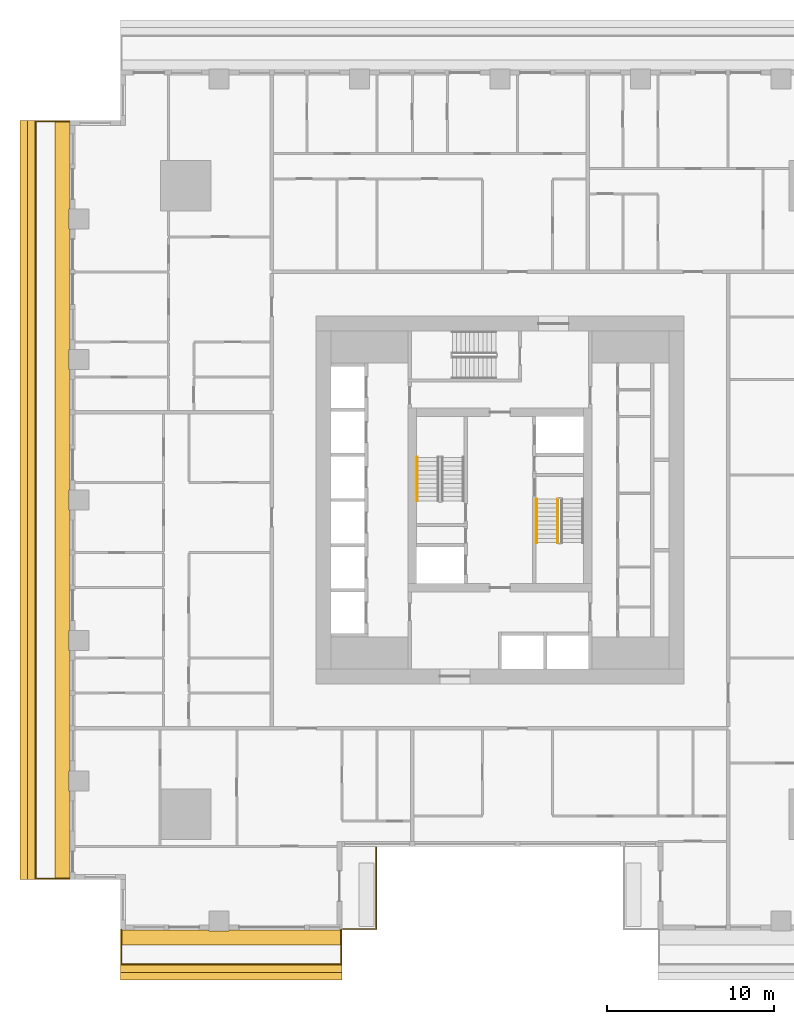
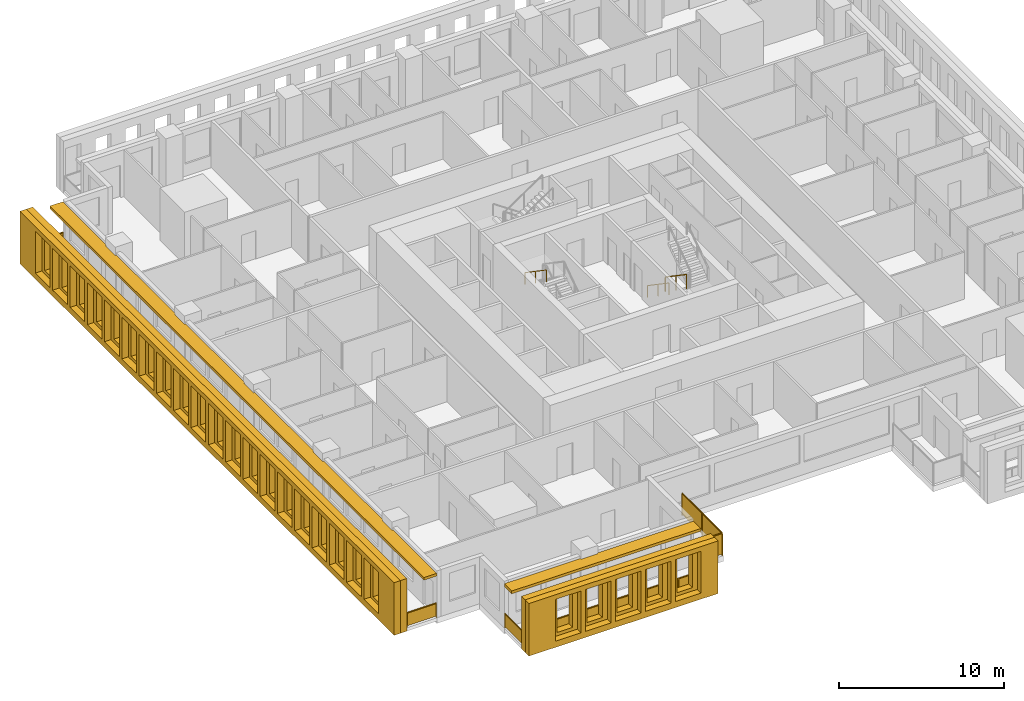
# One storey, part 11 of 15: 6 railings, 6 shading devices.
"""IFC4 building model written with IfcOpenShell, lengths in metres."""

from ifc_helpers import new_model, si_unit, direction, frame, origin, origin_2d, place, context, subcontext, project, spatial, polyline, rectangle, outline, extrude, material, layer, layer_set, type_object, element, save


model = new_model("IFC4")

# Units and contexts
model_context = context("Model", 3, precision=1e-05, world=origin(), true_north=direction((0.0, 1.0)))
body_context = subcontext(model_context, "Body", "Model", "MODEL_VIEW")
ifc_project = project(units=[si_unit("LENGTHUNIT", "METRE"), si_unit("AREAUNIT", "SQUARE_METRE"), si_unit("VOLUMEUNIT", "CUBIC_METRE"), si_unit("PLANEANGLEUNIT", "RADIAN"), si_unit("MASSUNIT", "GRAM", prefix="KILO")], contexts=[model_context])

# Site, building, storey
site_placement = place(None, origin())
site = spatial("IfcSite", under=ifc_project, at=site_placement, CompositionType="ELEMENT")
building_placement = place(site_placement, origin())
building = spatial("IfcBuilding", under=site, at=building_placement, Name="Khepri Terraces", CompositionType="ELEMENT")
storey_placement = place(building_placement, frame((0.0, 0.0, 50.39990234375)))
storey = spatial("IfcBuildingStorey", under=building, at=storey_placement, Name="L11", CompositionType="ELEMENT", Elevation=50.39990234375)

# Railings
ifc_material_1 = material(Name="Stainless steel grade 316", Category="steel")
railing_type_1 = type_object("IfcRailingType", Name="GRD-BAL-1100", PredefinedType="GUARDRAIL", material=ifc_material_1)
railing_1_placement = place(storey_placement, frame((-22.669921875, -25.719970703125, 0.0)))
element("IfcRailing", 1, at=railing_1_placement, inside=storey, type_object=railing_type_1, Name="Balcony guard L11 S", PredefinedType="GUARDRAIL", context=body_context, shape_type="SweptSolid", body=[
    extrude(rectangle(XDim=0.050048828125, YDim=0.06005859375, at=origin_2d()), frame((0.0, 0.0, 1.070068359375), z_axis=(0.0, -1.0, 0.0), x_axis=(1.0, 0.0, 0.0)), (0.0, 0.0, 1.0), 2.050048828125),
    extrude(rectangle(XDim=2.0, YDim=0.011962890625, at=origin_2d()), frame((0.0, -1.02490234375, 0.10009765625), z_axis=(0.0, 0.0, 1.0), x_axis=(0.0, -1.0, 0.0)), (0.0, 0.0, 1.0), 0.93994140625),
    extrude(rectangle(XDim=0.050048828125, YDim=0.06005859375, at=origin_2d()), frame((0.0, -2.050048828125, 1.070068359375), z_axis=(1.0, 0.0, 0.0), x_axis=(0.0, 1.0, 0.0)), (0.0, 0.0, 1.0), 13.169921875),
    extrude(rectangle(XDim=2.14501953125, YDim=0.011962890625, at=origin_2d()), frame((1.097412109375, -2.050048828125, 0.10009765625), z_axis=(0.0, 0.0, 1.0), x_axis=(1.0, 0.0, 0.0)), (0.0, 0.0, 1.0), 0.93994140625),
    extrude(rectangle(XDim=2.14501953125, YDim=0.011962890625, at=origin_2d()), frame((3.29248046875, -2.050048828125, 0.10009765625), z_axis=(0.0, 0.0, 1.0), x_axis=(1.0, 0.0, 0.0)), (0.0, 0.0, 1.0), 0.93994140625),
    extrude(rectangle(XDim=2.14501953125, YDim=0.011962890625, at=origin_2d()), frame((5.487548828125, -2.050048828125, 0.10009765625), z_axis=(0.0, 0.0, 1.0), x_axis=(1.0, 0.0, 0.0)), (0.0, 0.0, 1.0), 0.93994140625),
    extrude(rectangle(XDim=2.14501953125, YDim=0.011962890625, at=origin_2d()), frame((7.682373046875, -2.050048828125, 0.10009765625), z_axis=(0.0, 0.0, 1.0), x_axis=(1.0, 0.0, 0.0)), (0.0, 0.0, 1.0), 0.93994140625),
    extrude(rectangle(XDim=2.14501953125, YDim=0.011962890625, at=origin_2d()), frame((9.87744140625, -2.050048828125, 0.10009765625), z_axis=(0.0, 0.0, 1.0), x_axis=(1.0, 0.0, 0.0)), (0.0, 0.0, 1.0), 0.93994140625),
    extrude(rectangle(XDim=2.14501953125, YDim=0.011962890625, at=origin_2d()), frame((12.072509765625, -2.050048828125, 0.10009765625), z_axis=(0.0, 0.0, 1.0), x_axis=(1.0, 0.0, 0.0)), (0.0, 0.0, 1.0), 0.93994140625),
    extrude(rectangle(XDim=0.050048828125, YDim=0.06005859375, at=origin_2d()), frame((13.169921875, -2.050048828125, 1.070068359375), z_axis=(0.0, 1.0, 0.0), x_axis=(-1.0, 0.0, 0.0)), (0.0, 0.0, 1.0), 2.050048828125),
    extrude(rectangle(XDim=2.0, YDim=0.011962890625, at=origin_2d()), frame((13.169921875, -1.02490234375, 0.10009765625), z_axis=(0.0, 0.0, 1.0), x_axis=(0.0, 1.0, 0.0)), (0.0, 0.0, 1.0), 0.93994140625),
    extrude(rectangle(XDim=0.050048828125, YDim=0.050048828125, at=origin_2d()), origin(), (0.0, 0.0, 1.0), 1.0400390625),
    extrude(rectangle(XDim=0.050048828125, YDim=0.050048828125, at=origin_2d()), frame((0.0, -2.050048828125, 0.0)), (0.0, 0.0, 1.0), 1.0400390625),
    extrude(rectangle(XDim=0.050048828125, YDim=0.050048828125, at=origin_2d()), frame((2.195068359375, -2.050048828125, 0.0)), (0.0, 0.0, 1.0), 1.0400390625),
    extrude(rectangle(XDim=0.050048828125, YDim=0.050048828125, at=origin_2d()), frame((4.389892578125, -2.050048828125, 0.0)), (0.0, 0.0, 1.0), 1.0400390625),
    extrude(rectangle(XDim=0.050048828125, YDim=0.050048828125, at=origin_2d()), frame((6.5849609375, -2.050048828125, 0.0)), (0.0, 0.0, 1.0), 1.0400390625),
    extrude(rectangle(XDim=0.050048828125, YDim=0.050048828125, at=origin_2d()), frame((8.780029296875, -2.050048828125, 0.0)), (0.0, 0.0, 1.0), 1.0400390625),
    extrude(rectangle(XDim=0.050048828125, YDim=0.050048828125, at=origin_2d()), frame((10.974853515625, -2.050048828125, 0.0)), (0.0, 0.0, 1.0), 1.0400390625),
    extrude(rectangle(XDim=0.050048828125, YDim=0.050048828125, at=origin_2d()), frame((13.169921875, -2.050048828125, 0.0)), (0.0, 0.0, 1.0), 1.0400390625),
    extrude(rectangle(XDim=0.050048828125, YDim=0.050048828125, at=origin_2d()), frame((13.169921875, 0.0, 0.0)), (0.0, 0.0, 1.0), 1.0400390625),
])
railing_2_placement = place(storey_placement, frame((-25.719970703125, 22.669921875, 0.0)))
element("IfcRailing", 2, at=railing_2_placement, inside=storey, type_object=railing_type_1, Name="Balcony guard L11 W", PredefinedType="GUARDRAIL", context=body_context, shape_type="SweptSolid", body=[
    extrude(rectangle(XDim=0.050048828125, YDim=0.06005859375, at=origin_2d()), frame((0.0, 0.0, 1.070068359375), z_axis=(-1.0, 0.0, 0.0), x_axis=(0.0, -1.0, 0.0)), (0.0, 0.0, 1.0), 2.050048828125),
    extrude(rectangle(XDim=2.0, YDim=0.011962890625, at=origin_2d()), frame((-1.02490234375, 0.0, 0.10009765625), z_axis=(0.0, 0.0, 1.0), x_axis=(-1.0, 0.0, 0.0)), (0.0, 0.0, 1.0), 0.93994140625),
    extrude(rectangle(XDim=0.050048828125, YDim=0.06005859375, at=origin_2d()), frame((-2.050048828125, 0.0, 1.070068359375), z_axis=(0.0, -1.0, 0.0), x_axis=(1.0, 0.0, 0.0)), (0.0, 0.0, 1.0), 45.33984375),
    extrude(rectangle(XDim=2.336181640625, YDim=0.011962890625, at=origin_2d()), frame((-2.050048828125, -1.193115234375, 0.10009765625), z_axis=(0.0, 0.0, 1.0), x_axis=(0.0, -1.0, 0.0)), (0.0, 0.0, 1.0), 0.93994140625),
    extrude(rectangle(XDim=2.336181640625, YDim=0.011962890625, at=origin_2d()), frame((-2.050048828125, -3.579345703125, 0.10009765625), z_axis=(0.0, 0.0, 1.0), x_axis=(0.0, -1.0, 0.0)), (0.0, 0.0, 1.0), 0.93994140625),
    extrude(rectangle(XDim=2.336181640625, YDim=0.011962890625, at=origin_2d()), frame((-2.050048828125, -5.9658203125, 0.10009765625), z_axis=(0.0, 0.0, 1.0), x_axis=(0.0, -1.0, 0.0)), (0.0, 0.0, 1.0), 0.93994140625),
    extrude(rectangle(XDim=2.336181640625, YDim=0.011962890625, at=origin_2d()), frame((-2.050048828125, -8.35205078125, 0.10009765625), z_axis=(0.0, 0.0, 1.0), x_axis=(0.0, -1.0, 0.0)), (0.0, 0.0, 1.0), 0.93994140625),
    extrude(rectangle(XDim=2.336181640625, YDim=0.011962890625, at=origin_2d()), frame((-2.050048828125, -10.73828125, 0.10009765625), z_axis=(0.0, 0.0, 1.0), x_axis=(0.0, -1.0, 0.0)), (0.0, 0.0, 1.0), 0.93994140625),
    extrude(rectangle(XDim=2.336181640625, YDim=0.011962890625, at=origin_2d()), frame((-2.050048828125, -13.124755859375, 0.10009765625), z_axis=(0.0, 0.0, 1.0), x_axis=(0.0, -1.0, 0.0)), (0.0, 0.0, 1.0), 0.93994140625),
    extrude(rectangle(XDim=2.336181640625, YDim=0.011962890625, at=origin_2d()), frame((-2.050048828125, -15.510986328125, 0.10009765625), z_axis=(0.0, 0.0, 1.0), x_axis=(0.0, -1.0, 0.0)), (0.0, 0.0, 1.0), 0.93994140625),
    extrude(rectangle(XDim=2.336181640625, YDim=0.011962890625, at=origin_2d()), frame((-2.050048828125, -17.897216796875, 0.10009765625), z_axis=(0.0, 0.0, 1.0), x_axis=(0.0, -1.0, 0.0)), (0.0, 0.0, 1.0), 0.93994140625),
    extrude(rectangle(XDim=2.336181640625, YDim=0.011962890625, at=origin_2d()), frame((-2.050048828125, -20.28369140625, 0.10009765625), z_axis=(0.0, 0.0, 1.0), x_axis=(0.0, -1.0, 0.0)), (0.0, 0.0, 1.0), 0.93994140625),
    extrude(rectangle(XDim=2.336181640625, YDim=0.011962890625, at=origin_2d()), frame((-2.050048828125, -22.669921875, 0.10009765625), z_axis=(0.0, 0.0, 1.0), x_axis=(0.0, -1.0, 0.0)), (0.0, 0.0, 1.0), 0.93994140625),
    extrude(rectangle(XDim=2.336181640625, YDim=0.011962890625, at=origin_2d()), frame((-2.050048828125, -25.05615234375, 0.10009765625), z_axis=(0.0, 0.0, 1.0), x_axis=(0.0, -1.0, 0.0)), (0.0, 0.0, 1.0), 0.93994140625),
    extrude(rectangle(XDim=2.336181640625, YDim=0.011962890625, at=origin_2d()), frame((-2.050048828125, -27.442626953125, 0.10009765625), z_axis=(0.0, 0.0, 1.0), x_axis=(0.0, -1.0, 0.0)), (0.0, 0.0, 1.0), 0.93994140625),
    extrude(rectangle(XDim=2.336181640625, YDim=0.011962890625, at=origin_2d()), frame((-2.050048828125, -29.828857421875, 0.10009765625), z_axis=(0.0, 0.0, 1.0), x_axis=(0.0, -1.0, 0.0)), (0.0, 0.0, 1.0), 0.93994140625),
    extrude(rectangle(XDim=2.336181640625, YDim=0.011962890625, at=origin_2d()), frame((-2.050048828125, -32.215087890625, 0.10009765625), z_axis=(0.0, 0.0, 1.0), x_axis=(0.0, -1.0, 0.0)), (0.0, 0.0, 1.0), 0.93994140625),
    extrude(rectangle(XDim=2.336181640625, YDim=0.011962890625, at=origin_2d()), frame((-2.050048828125, -34.6015625, 0.10009765625), z_axis=(0.0, 0.0, 1.0), x_axis=(0.0, -1.0, 0.0)), (0.0, 0.0, 1.0), 0.93994140625),
    extrude(rectangle(XDim=2.336181640625, YDim=0.011962890625, at=origin_2d()), frame((-2.050048828125, -36.98779296875, 0.10009765625), z_axis=(0.0, 0.0, 1.0), x_axis=(0.0, -1.0, 0.0)), (0.0, 0.0, 1.0), 0.93994140625),
    extrude(rectangle(XDim=2.336181640625, YDim=0.011962890625, at=origin_2d()), frame((-2.050048828125, -39.3740234375, 0.10009765625), z_axis=(0.0, 0.0, 1.0), x_axis=(0.0, -1.0, 0.0)), (0.0, 0.0, 1.0), 0.93994140625),
    extrude(rectangle(XDim=2.336181640625, YDim=0.011962890625, at=origin_2d()), frame((-2.050048828125, -41.760498046875, 0.10009765625), z_axis=(0.0, 0.0, 1.0), x_axis=(0.0, -1.0, 0.0)), (0.0, 0.0, 1.0), 0.93994140625),
    extrude(rectangle(XDim=2.336181640625, YDim=0.011962890625, at=origin_2d()), frame((-2.050048828125, -44.146728515625, 0.10009765625), z_axis=(0.0, 0.0, 1.0), x_axis=(0.0, -1.0, 0.0)), (0.0, 0.0, 1.0), 0.93994140625),
    extrude(rectangle(XDim=0.050048828125, YDim=0.06005859375, at=origin_2d()), frame((-2.050048828125, -45.33984375, 1.070068359375), z_axis=(1.0, 0.0, 0.0), x_axis=(0.0, 1.0, 0.0)), (0.0, 0.0, 1.0), 2.050048828125),
    extrude(rectangle(XDim=2.0, YDim=0.011962890625, at=origin_2d()), frame((-1.02490234375, -45.33984375, 0.10009765625), z_axis=(0.0, 0.0, 1.0), x_axis=(1.0, 0.0, 0.0)), (0.0, 0.0, 1.0), 0.93994140625),
    extrude(rectangle(XDim=0.050048828125, YDim=0.050048828125, at=origin_2d()), origin(), (0.0, 0.0, 1.0), 1.0400390625),
    extrude(rectangle(XDim=0.050048828125, YDim=0.050048828125, at=origin_2d()), frame((-2.050048828125, 0.0, 0.0)), (0.0, 0.0, 1.0), 1.0400390625),
    extrude(rectangle(XDim=0.050048828125, YDim=0.050048828125, at=origin_2d()), frame((-2.050048828125, -2.38623046875, 0.0)), (0.0, 0.0, 1.0), 1.0400390625),
    extrude(rectangle(XDim=0.050048828125, YDim=0.050048828125, at=origin_2d()), frame((-2.050048828125, -4.772705078125, 0.0)), (0.0, 0.0, 1.0), 1.0400390625),
    extrude(rectangle(XDim=0.050048828125, YDim=0.050048828125, at=origin_2d()), frame((-2.050048828125, -7.158935546875, 0.0)), (0.0, 0.0, 1.0), 1.0400390625),
    extrude(rectangle(XDim=0.050048828125, YDim=0.050048828125, at=origin_2d()), frame((-2.050048828125, -9.545166015625, 0.0)), (0.0, 0.0, 1.0), 1.0400390625),
    extrude(rectangle(XDim=0.050048828125, YDim=0.050048828125, at=origin_2d()), frame((-2.050048828125, -11.931640625, 0.0)), (0.0, 0.0, 1.0), 1.0400390625),
    extrude(rectangle(XDim=0.050048828125, YDim=0.050048828125, at=origin_2d()), frame((-2.050048828125, -14.31787109375, 0.0)), (0.0, 0.0, 1.0), 1.0400390625),
    extrude(rectangle(XDim=0.050048828125, YDim=0.050048828125, at=origin_2d()), frame((-2.050048828125, -16.7041015625, 0.0)), (0.0, 0.0, 1.0), 1.0400390625),
    extrude(rectangle(XDim=0.050048828125, YDim=0.050048828125, at=origin_2d()), frame((-2.050048828125, -19.090576171875, 0.0)), (0.0, 0.0, 1.0), 1.0400390625),
    extrude(rectangle(XDim=0.050048828125, YDim=0.050048828125, at=origin_2d()), frame((-2.050048828125, -21.476806640625, 0.0)), (0.0, 0.0, 1.0), 1.0400390625),
    extrude(rectangle(XDim=0.050048828125, YDim=0.050048828125, at=origin_2d()), frame((-2.050048828125, -23.863037109375, 0.0)), (0.0, 0.0, 1.0), 1.0400390625),
    extrude(rectangle(XDim=0.050048828125, YDim=0.050048828125, at=origin_2d()), frame((-2.050048828125, -26.249267578125, 0.0)), (0.0, 0.0, 1.0), 1.0400390625),
    extrude(rectangle(XDim=0.050048828125, YDim=0.050048828125, at=origin_2d()), frame((-2.050048828125, -28.6357421875, 0.0)), (0.0, 0.0, 1.0), 1.0400390625),
    extrude(rectangle(XDim=0.050048828125, YDim=0.050048828125, at=origin_2d()), frame((-2.050048828125, -31.02197265625, 0.0)), (0.0, 0.0, 1.0), 1.0400390625),
    extrude(rectangle(XDim=0.050048828125, YDim=0.050048828125, at=origin_2d()), frame((-2.050048828125, -33.408203125, 0.0)), (0.0, 0.0, 1.0), 1.0400390625),
    extrude(rectangle(XDim=0.050048828125, YDim=0.050048828125, at=origin_2d()), frame((-2.050048828125, -35.794677734375, 0.0)), (0.0, 0.0, 1.0), 1.0400390625),
    extrude(rectangle(XDim=0.050048828125, YDim=0.050048828125, at=origin_2d()), frame((-2.050048828125, -38.180908203125, 0.0)), (0.0, 0.0, 1.0), 1.0400390625),
    extrude(rectangle(XDim=0.050048828125, YDim=0.050048828125, at=origin_2d()), frame((-2.050048828125, -40.567138671875, 0.0)), (0.0, 0.0, 1.0), 1.0400390625),
    extrude(rectangle(XDim=0.050048828125, YDim=0.050048828125, at=origin_2d()), frame((-2.050048828125, -42.95361328125, 0.0)), (0.0, 0.0, 1.0), 1.0400390625),
    extrude(rectangle(XDim=0.050048828125, YDim=0.050048828125, at=origin_2d()), frame((-2.050048828125, -45.33984375, 0.0)), (0.0, 0.0, 1.0), 1.0400390625),
    extrude(rectangle(XDim=0.050048828125, YDim=0.050048828125, at=origin_2d()), frame((0.0, -45.33984375, 0.0)), (0.0, 0.0, 1.0), 1.0400390625),
])
railing_type_2 = type_object("IfcRailingType", Name="GRD-TERR-1700", PredefinedType="GUARDRAIL", material=ifc_material_1)
railing_3_placement = place(storey_placement, frame((-7.39990234375, -20.7900390625, 0.0)))
element("IfcRailing", 3, at=railing_3_placement, inside=storey, type_object=railing_type_2, Name="Terrace guard L11", PredefinedType="GUARDRAIL", context=body_context, shape_type="SweptSolid", body=[
    extrude(rectangle(XDim=0.050048828125, YDim=0.06005859375, at=origin_2d()), frame((0.0, 0.0, 1.669921875), z_axis=(0.0, -1.0, 0.0), x_axis=(1.0, 0.0, 0.0)), (0.0, 0.0, 1.0), 4.8798828125),
    extrude(rectangle(XDim=2.389892578125, YDim=0.011962890625, at=origin_2d()), frame((0.0, -1.219970703125, 0.10009765625), z_axis=(0.0, 0.0, 1.0), x_axis=(0.0, -1.0, 0.0)), (0.0, 0.0, 1.0), 1.539794921875),
    extrude(rectangle(XDim=2.389892578125, YDim=0.011962890625, at=origin_2d()), frame((0.0, -3.659912109375, 0.10009765625), z_axis=(0.0, 0.0, 1.0), x_axis=(0.0, -1.0, 0.0)), (0.0, 0.0, 1.0), 1.539794921875),
    extrude(rectangle(XDim=0.050048828125, YDim=0.06005859375, at=origin_2d()), frame((0.0, -4.8798828125, 1.669921875), z_axis=(-1.0, 0.0, 0.0), x_axis=(0.0, -1.0, 0.0)), (0.0, 0.0, 1.0), 1.97998046875),
    extrude(rectangle(XDim=1.929931640625, YDim=0.011962890625, at=origin_2d()), frame((-0.989990234375, -4.8798828125, 0.10009765625), z_axis=(0.0, 0.0, 1.0), x_axis=(-1.0, 0.0, 0.0)), (0.0, 0.0, 1.0), 1.539794921875),
    extrude(rectangle(XDim=0.050048828125, YDim=0.050048828125, at=origin_2d()), origin(), (0.0, 0.0, 1.0), 1.639892578125),
    extrude(rectangle(XDim=0.050048828125, YDim=0.050048828125, at=origin_2d()), frame((0.0, -2.43994140625, 0.0)), (0.0, 0.0, 1.0), 1.639892578125),
    extrude(rectangle(XDim=0.050048828125, YDim=0.050048828125, at=origin_2d()), frame((0.0, -4.8798828125, 0.0)), (0.0, 0.0, 1.0), 1.639892578125),
    extrude(rectangle(XDim=0.050048828125, YDim=0.050048828125, at=origin_2d()), frame((-1.97998046875, -4.8798828125, 0.0)), (0.0, 0.0, 1.0), 1.639892578125),
])
ifc_material_2 = material(Name="Stainless steel 316", Category="steel")
railing_type_3 = type_object("IfcRailingType", Name="RL-CORE-GUARD", PredefinedType="GUARDRAIL", material=ifc_material_2)
railing_4_placement = place(storey_placement, frame((3.449951171875, 0.050048828125, 0.177490234375)))
element("IfcRailing", 4, at=railing_4_placement, inside=storey, type_object=railing_type_3, Name="L11 ST-2 stair guard 1", PredefinedType="GUARDRAIL", context=body_context, shape_type="SweptSolid", body=[
    extrude(rectangle(XDim=0.050048828125, YDim=0.06005859375, at=origin_2d()), frame((0.0, 0.0, 1.070068359375), z_axis=(0.0, -0.826240473404, 0.563317565952), x_axis=(1.0, 0.0, 0.0)), (0.0, 0.0, 1.0), 3.14697265625),
    extrude(rectangle(XDim=0.050048828125, YDim=0.050048828125, at=origin_2d()), origin(), (0.0, 0.0, 1.0), 1.0400390625),
    extrude(rectangle(XDim=0.050048828125, YDim=0.050048828125, at=origin_2d()), frame((0.0, -1.300048828125, 0.88623046875)), (0.0, 0.0, 1.0), 1.0400390625),
    extrude(rectangle(XDim=0.050048828125, YDim=0.050048828125, at=origin_2d()), frame((0.0, -2.60009765625, 1.772705078125)), (0.0, 0.0, 1.0), 1.0400390625),
])
railing_type_4 = type_object("IfcRailingType", Name="RL-CORE-HANDRAIL", PredefinedType="HANDRAIL", material=ifc_material_2)
for number, where, name in (
    (5, (-4.949951171875, 2.550048828125, 2.12744140625), "L11 ST-1 stair handrail 2"),
    (6, (2.199951171875, 0.050048828125, 0.177490234375), "L11 ST-2 stair handrail 1"),
):
    element("IfcRailing", number, at=place(storey_placement, frame(where)), inside=storey, type_object=railing_type_4, Name=name, PredefinedType="HANDRAIL", context=body_context, shape_type="SweptSolid", body=[
        extrude(rectangle(XDim=0.050048828125, YDim=0.050048828125, at=origin_2d()), frame((0.0, 0.0, 0.875), z_axis=(0.0, -0.826240473404, 0.563317565952), x_axis=(1.0, 0.0, 0.0)), (0.0, 0.0, 1.0), 3.14697265625),
        extrude(rectangle(XDim=0.050048828125, YDim=0.050048828125, at=origin_2d()), origin(), (0.0, 0.0, 1.0), 0.849853515625),
        extrude(rectangle(XDim=0.050048828125, YDim=0.050048828125, at=origin_2d()), frame((0.0, -1.300048828125, 0.88623046875)), (0.0, 0.0, 1.0), 0.849853515625),
        extrude(rectangle(XDim=0.050048828125, YDim=0.050048828125, at=origin_2d()), frame((0.0, -2.60009765625, 1.772705078125)), (0.0, 0.0, 1.0), 0.849853515625),
    ])

# Shading devices
ifc_material_3 = material(Name="Precast concrete C50/60 warm stone", Category="masonry")
shading_device_type_1 = type_object("IfcShadingDeviceType", Name="SCR-CELL-INNER-450", PredefinedType="USERDEFINED", material=ifc_material_3)
shading_device_1_placement = place(storey_placement, frame((-22.719970703125, -27.820068359375, -0.25), z_axis=(0.0, -1.0, 0.0), x_axis=(1.0, 0.0, 0.0)))
element("IfcShadingDevice", 7, at=shading_device_1_placement, inside=storey, type_object=shading_device_type_1, Name="Cell screen L11 S in", ObjectType="SCREEN", PredefinedType="USERDEFINED", context=body_context, shape_type="SweptSolid", body=[
    extrude(outline(polyline([(0.0, 0.0), (13.27001953125, 0.0), (13.27001953125, 3.89990234375), (0.0, 3.89990234375), (0.0, 0.0)]), holes=[polyline([(0.126708984375, 0.699951171875), (1.21337890625, 0.699951171875), (1.21337890625, 3.300048828125), (0.126708984375, 3.300048828125), (0.126708984375, 0.699951171875)]), polyline([(2.2265625, 0.699951171875), (3.3134765625, 0.699951171875), (3.3134765625, 3.300048828125), (2.2265625, 3.300048828125), (2.2265625, 0.699951171875)]), polyline([(4.32666015625, 0.699951171875), (5.413330078125, 0.699951171875), (5.413330078125, 3.300048828125), (4.32666015625, 3.300048828125), (4.32666015625, 0.699951171875)]), polyline([(6.426513671875, 0.699951171875), (7.513427734375, 0.699951171875), (7.513427734375, 3.300048828125), (6.426513671875, 3.300048828125), (6.426513671875, 0.699951171875)]), polyline([(8.526611328125, 0.699951171875), (9.61328125, 0.699951171875), (9.61328125, 3.300048828125), (8.526611328125, 3.300048828125), (8.526611328125, 0.699951171875)]), polyline([(10.626708984375, 0.699951171875), (11.71337890625, 0.699951171875), (11.71337890625, 3.300048828125), (10.626708984375, 3.300048828125), (10.626708984375, 0.699951171875)])]), origin(), (0.0, 0.0, 1.0), 0.449951171875),
])
shading_device_2_placement = place(storey_placement, frame((-27.820068359375, 22.719970703125, -0.25), z_axis=(-1.0, 0.0, 0.0), x_axis=(0.0, -1.0, 0.0)))
element("IfcShadingDevice", 8, at=shading_device_2_placement, inside=storey, type_object=shading_device_type_1, Name="Cell screen L11 W in", ObjectType="SCREEN", PredefinedType="USERDEFINED", context=body_context, shape_type="SweptSolid", body=[
    extrude(outline(polyline([(0.0, 0.0), (45.43994140625, 0.0), (45.43994140625, 3.89990234375), (0.0, 3.89990234375), (0.0, 0.0)]), holes=[polyline([(0.126708984375, 0.699951171875), (1.21337890625, 0.699951171875), (1.21337890625, 3.300048828125), (0.126708984375, 3.300048828125), (0.126708984375, 0.699951171875)]), polyline([(2.2265625, 0.699951171875), (3.3134765625, 0.699951171875), (3.3134765625, 3.300048828125), (2.2265625, 3.300048828125), (2.2265625, 0.699951171875)]), polyline([(4.32666015625, 0.699951171875), (5.413330078125, 0.699951171875), (5.413330078125, 3.300048828125), (4.32666015625, 3.300048828125), (4.32666015625, 0.699951171875)]), polyline([(6.426513671875, 0.699951171875), (7.513427734375, 0.699951171875), (7.513427734375, 3.300048828125), (6.426513671875, 3.300048828125), (6.426513671875, 0.699951171875)]), polyline([(8.526611328125, 0.699951171875), (9.61328125, 0.699951171875), (9.61328125, 3.300048828125), (8.526611328125, 3.300048828125), (8.526611328125, 0.699951171875)]), polyline([(10.626708984375, 0.699951171875), (11.71337890625, 0.699951171875), (11.71337890625, 3.300048828125), (10.626708984375, 3.300048828125), (10.626708984375, 0.699951171875)]), polyline([(12.7265625, 0.699951171875), (13.8134765625, 0.699951171875), (13.8134765625, 3.300048828125), (12.7265625, 3.300048828125), (12.7265625, 0.699951171875)]), polyline([(14.82666015625, 0.699951171875), (15.913330078125, 0.699951171875), (15.913330078125, 3.300048828125), (14.82666015625, 3.300048828125), (14.82666015625, 0.699951171875)]), polyline([(16.926513671875, 0.699951171875), (18.013427734375, 0.699951171875), (18.013427734375, 3.300048828125), (16.926513671875, 3.300048828125), (16.926513671875, 0.699951171875)]), polyline([(19.026611328125, 0.699951171875), (20.11328125, 0.699951171875), (20.11328125, 3.300048828125), (19.026611328125, 3.300048828125), (19.026611328125, 0.699951171875)]), polyline([(21.126708984375, 0.699951171875), (22.21337890625, 0.699951171875), (22.21337890625, 3.300048828125), (21.126708984375, 3.300048828125), (21.126708984375, 0.699951171875)]), polyline([(23.2265625, 0.699951171875), (24.3134765625, 0.699951171875), (24.3134765625, 3.300048828125), (23.2265625, 3.300048828125), (23.2265625, 0.699951171875)]), polyline([(25.32666015625, 0.699951171875), (26.413330078125, 0.699951171875), (26.413330078125, 3.300048828125), (25.32666015625, 3.300048828125), (25.32666015625, 0.699951171875)]), polyline([(27.426513671875, 0.699951171875), (28.513427734375, 0.699951171875), (28.513427734375, 3.300048828125), (27.426513671875, 3.300048828125), (27.426513671875, 0.699951171875)]), polyline([(29.526611328125, 0.699951171875), (30.61328125, 0.699951171875), (30.61328125, 3.300048828125), (29.526611328125, 3.300048828125), (29.526611328125, 0.699951171875)]), polyline([(31.626708984375, 0.699951171875), (32.71337890625, 0.699951171875), (32.71337890625, 3.300048828125), (31.626708984375, 3.300048828125), (31.626708984375, 0.699951171875)]), polyline([(33.7265625, 0.699951171875), (34.8134765625, 0.699951171875), (34.8134765625, 3.300048828125), (33.7265625, 3.300048828125), (33.7265625, 0.699951171875)]), polyline([(35.82666015625, 0.699951171875), (36.913330078125, 0.699951171875), (36.913330078125, 3.300048828125), (35.82666015625, 3.300048828125), (35.82666015625, 0.699951171875)]), polyline([(37.926513671875, 0.699951171875), (39.013427734375, 0.699951171875), (39.013427734375, 3.300048828125), (37.926513671875, 3.300048828125), (37.926513671875, 0.699951171875)]), polyline([(40.026611328125, 0.699951171875), (41.11328125, 0.699951171875), (41.11328125, 3.300048828125), (40.026611328125, 3.300048828125), (40.026611328125, 0.699951171875)]), polyline([(42.126708984375, 0.699951171875), (43.21337890625, 0.699951171875), (43.21337890625, 3.300048828125), (42.126708984375, 3.300048828125), (42.126708984375, 0.699951171875)]), polyline([(44.2265625, 0.699951171875), (45.3134765625, 0.699951171875), (45.3134765625, 3.300048828125), (44.2265625, 3.300048828125), (44.2265625, 0.699951171875)])]), origin(), (0.0, 0.0, 1.0), 0.449951171875),
])
shading_device_type_2 = type_object("IfcShadingDeviceType", Name="SCR-CELL-OUTER-450", PredefinedType="USERDEFINED", material=ifc_material_3)
shading_device_3_placement = place(storey_placement, frame((-22.719970703125, -28.27001953125, -0.25), z_axis=(0.0, -1.0, 0.0), x_axis=(1.0, 0.0, 0.0)))
element("IfcShadingDevice", 9, at=shading_device_3_placement, inside=storey, type_object=shading_device_type_2, Name="Cell screen L11 S out", ObjectType="SCREEN", PredefinedType="USERDEFINED", context=body_context, shape_type="SweptSolid", body=[
    extrude(outline(polyline([(0.0, 0.0), (13.27001953125, 0.0), (13.27001953125, 3.89990234375), (0.0, 3.89990234375), (0.0, 0.0)]), holes=[polyline([(1.876708984375, 0.449951171875), (3.663330078125, 0.449951171875), (3.663330078125, 3.550048828125), (1.876708984375, 3.550048828125), (1.876708984375, 0.449951171875)]), polyline([(3.9765625, 0.449951171875), (5.763427734375, 0.449951171875), (5.763427734375, 3.550048828125), (3.9765625, 3.550048828125), (3.9765625, 0.449951171875)]), polyline([(6.07666015625, 0.449951171875), (7.86328125, 0.449951171875), (7.86328125, 3.550048828125), (6.07666015625, 3.550048828125), (6.07666015625, 0.449951171875)]), polyline([(8.176513671875, 0.449951171875), (9.96337890625, 0.449951171875), (9.96337890625, 3.550048828125), (8.176513671875, 3.550048828125), (8.176513671875, 0.449951171875)]), polyline([(10.276611328125, 0.449951171875), (12.0634765625, 0.449951171875), (12.0634765625, 3.550048828125), (10.276611328125, 3.550048828125), (10.276611328125, 0.449951171875)])]), origin(), (0.0, 0.0, 1.0), 0.449951171875),
])
shading_device_4_placement = place(storey_placement, frame((-28.27001953125, 22.719970703125, -0.25), z_axis=(-1.0, 0.0, 0.0), x_axis=(0.0, -1.0, 0.0)))
element("IfcShadingDevice", 10, at=shading_device_4_placement, inside=storey, type_object=shading_device_type_2, Name="Cell screen L11 W out", ObjectType="SCREEN", PredefinedType="USERDEFINED", context=body_context, shape_type="SweptSolid", body=[
    extrude(outline(polyline([(0.0, 0.0), (45.43994140625, 0.0), (45.43994140625, 3.89990234375), (0.0, 3.89990234375), (0.0, 0.0)]), holes=[polyline([(1.876708984375, 0.449951171875), (3.663330078125, 0.449951171875), (3.663330078125, 3.550048828125), (1.876708984375, 3.550048828125), (1.876708984375, 0.449951171875)]), polyline([(3.9765625, 0.449951171875), (5.763427734375, 0.449951171875), (5.763427734375, 3.550048828125), (3.9765625, 3.550048828125), (3.9765625, 0.449951171875)]), polyline([(6.07666015625, 0.449951171875), (7.86328125, 0.449951171875), (7.86328125, 3.550048828125), (6.07666015625, 3.550048828125), (6.07666015625, 0.449951171875)]), polyline([(8.176513671875, 0.449951171875), (9.96337890625, 0.449951171875), (9.96337890625, 3.550048828125), (8.176513671875, 3.550048828125), (8.176513671875, 0.449951171875)]), polyline([(10.276611328125, 0.449951171875), (12.0634765625, 0.449951171875), (12.0634765625, 3.550048828125), (10.276611328125, 3.550048828125), (10.276611328125, 0.449951171875)]), polyline([(12.376708984375, 0.449951171875), (14.163330078125, 0.449951171875), (14.163330078125, 3.550048828125), (12.376708984375, 3.550048828125), (12.376708984375, 0.449951171875)]), polyline([(14.4765625, 0.449951171875), (16.263427734375, 0.449951171875), (16.263427734375, 3.550048828125), (14.4765625, 3.550048828125), (14.4765625, 0.449951171875)]), polyline([(16.57666015625, 0.449951171875), (18.36328125, 0.449951171875), (18.36328125, 3.550048828125), (16.57666015625, 3.550048828125), (16.57666015625, 0.449951171875)]), polyline([(18.676513671875, 0.449951171875), (20.46337890625, 0.449951171875), (20.46337890625, 3.550048828125), (18.676513671875, 3.550048828125), (18.676513671875, 0.449951171875)]), polyline([(20.776611328125, 0.449951171875), (22.5634765625, 0.449951171875), (22.5634765625, 3.550048828125), (20.776611328125, 3.550048828125), (20.776611328125, 0.449951171875)]), polyline([(22.876708984375, 0.449951171875), (24.663330078125, 0.449951171875), (24.663330078125, 3.550048828125), (22.876708984375, 3.550048828125), (22.876708984375, 0.449951171875)]), polyline([(24.9765625, 0.449951171875), (26.763427734375, 0.449951171875), (26.763427734375, 3.550048828125), (24.9765625, 3.550048828125), (24.9765625, 0.449951171875)]), polyline([(27.07666015625, 0.449951171875), (28.86328125, 0.449951171875), (28.86328125, 3.550048828125), (27.07666015625, 3.550048828125), (27.07666015625, 0.449951171875)]), polyline([(29.176513671875, 0.449951171875), (30.96337890625, 0.449951171875), (30.96337890625, 3.550048828125), (29.176513671875, 3.550048828125), (29.176513671875, 0.449951171875)]), polyline([(31.276611328125, 0.449951171875), (33.0634765625, 0.449951171875), (33.0634765625, 3.550048828125), (31.276611328125, 3.550048828125), (31.276611328125, 0.449951171875)]), polyline([(33.376708984375, 0.449951171875), (35.163330078125, 0.449951171875), (35.163330078125, 3.550048828125), (33.376708984375, 3.550048828125), (33.376708984375, 0.449951171875)]), polyline([(35.4765625, 0.449951171875), (37.263427734375, 0.449951171875), (37.263427734375, 3.550048828125), (35.4765625, 3.550048828125), (35.4765625, 0.449951171875)]), polyline([(37.57666015625, 0.449951171875), (39.36328125, 0.449951171875), (39.36328125, 3.550048828125), (37.57666015625, 3.550048828125), (37.57666015625, 0.449951171875)]), polyline([(39.676513671875, 0.449951171875), (41.46337890625, 0.449951171875), (41.46337890625, 3.550048828125), (39.676513671875, 3.550048828125), (39.676513671875, 0.449951171875)]), polyline([(41.776611328125, 0.449951171875), (43.5634765625, 0.449951171875), (43.5634765625, 3.550048828125), (41.776611328125, 3.550048828125), (41.776611328125, 0.449951171875)])]), origin(), (0.0, 0.0, 1.0), 0.449951171875),
])
ifc_layer = layer(ifc_material_3, 0.199951171875, Name="Precast concrete C50/60 warm stone", Category="masonry")
ifc_layer_set = layer_set([ifc_layer], Name="Precast concrete C50/60 warm stone")
shading_device_type_3 = type_object("IfcShadingDeviceType", Name="SSH-BAND-STONE-200", PredefinedType="USERDEFINED", material=ifc_layer_set)
shading_device_5_placement = place(storey_placement, frame((0.0, 0.0, 3.10009765625)))
element("IfcShadingDevice", 11, at=shading_device_5_placement, inside=storey, type_object=shading_device_type_3, Name="Sunshade band L11 S", ObjectType="SUNSHADE", PredefinedType="USERDEFINED", context=body_context, shape_type="SweptSolid", body=[
    extrude(outline(polyline([(-17.39990234375, -25.719970703125), (-22.719970703125, -25.719970703125), (-22.719970703125, -26.6201171875), (-9.449951171875, -26.6201171875), (-9.449951171875, -25.719970703125), (-16.199951171875, -25.719970703125), (-16.199951171875, -25.800048828125), (-17.39990234375, -25.800048828125), (-17.39990234375, -25.719970703125)])), origin(), (0.0, 0.0, 1.0), 0.199951171875),
])
shading_device_6_placement = place(storey_placement, frame((0.0, 0.0, 3.10009765625)))
element("IfcShadingDevice", 12, at=shading_device_6_placement, inside=storey, type_object=shading_device_type_3, Name="Sunshade band L11 W", ObjectType="SUNSHADE", PredefinedType="USERDEFINED", context=body_context, shape_type="SweptSolid", body=[
    extrude(outline(polyline([(-25.719970703125, 17.39990234375), (-25.719970703125, 22.719970703125), (-26.6201171875, 22.719970703125), (-26.6201171875, -22.719970703125), (-25.719970703125, -22.719970703125), (-25.719970703125, -17.39990234375), (-25.800048828125, -17.39990234375), (-25.800048828125, -16.199951171875), (-25.719970703125, -16.199951171875), (-25.719970703125, -9.0), (-25.800048828125, -9.0), (-25.800048828125, -7.800048828125), (-25.719970703125, -7.800048828125), (-25.719970703125, -0.60009765625), (-25.800048828125, -0.60009765625), (-25.800048828125, 0.60009765625), (-25.719970703125, 0.60009765625), (-25.719970703125, 7.800048828125), (-25.800048828125, 7.800048828125), (-25.800048828125, 9.0), (-25.719970703125, 9.0), (-25.719970703125, 16.199951171875), (-25.800048828125, 16.199951171875), (-25.800048828125, 17.39990234375), (-25.719970703125, 17.39990234375)])), origin(), (0.0, 0.0, 1.0), 0.199951171875),
])

save(model, "model.ifc")
